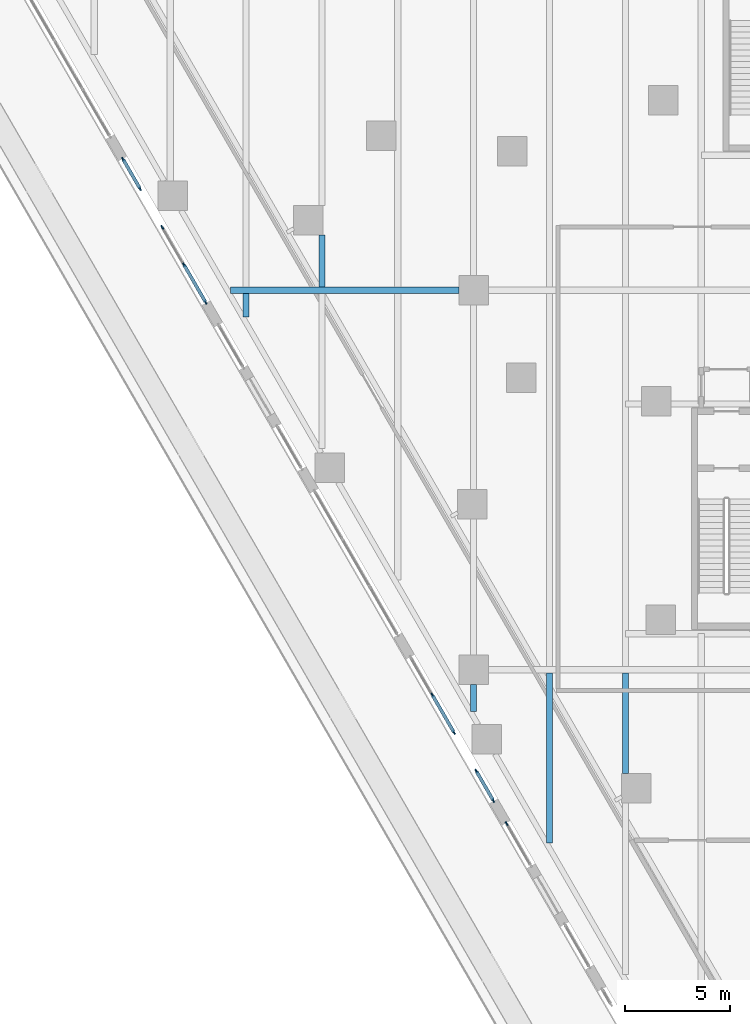
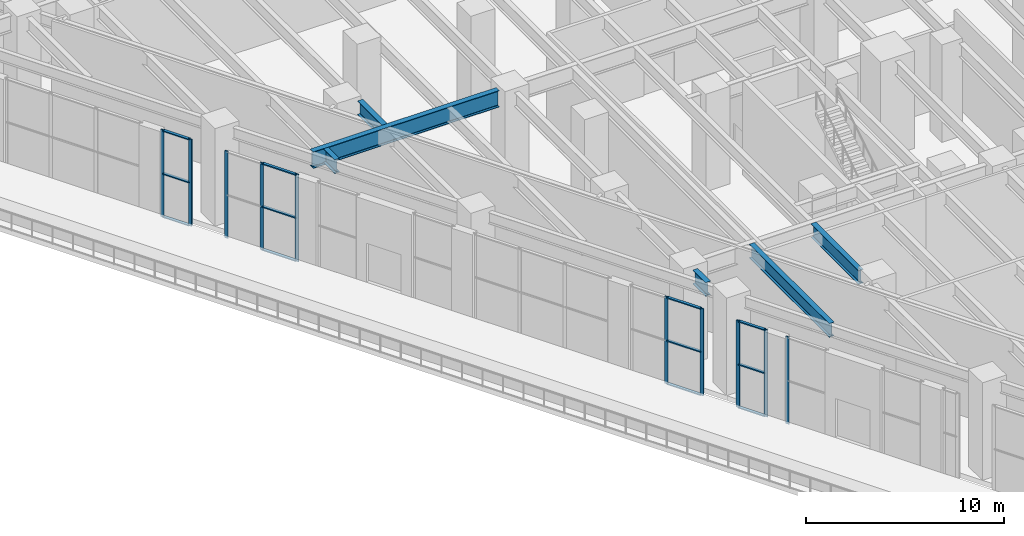
# One storey, part 6 of 40: 22 members, 6 beams, 5 elements without a shape of their own.
"""IFC4 building model written with IfcOpenShell, lengths in metres."""

from ifc_helpers import new_model, si_unit, direction, frame, origin, origin_2d, place, context, subcontext, project, spatial, rectangle, i_section, extrude, material, material_profile, profile_set, type_object, element, aggregate, save


model = new_model("IFC4")

# Units and contexts
model_context = context("Model", 3, precision=1e-05, world=origin(), true_north=direction((0.0, 1.0)))
body_context = subcontext(model_context, "Body", "Model", "MODEL_VIEW")
ifc_project = project(units=[si_unit("LENGTHUNIT", "METRE"), si_unit("AREAUNIT", "SQUARE_METRE"), si_unit("VOLUMEUNIT", "CUBIC_METRE"), si_unit("PLANEANGLEUNIT", "RADIAN"), si_unit("MASSUNIT", "GRAM", prefix="KILO")], contexts=[model_context])

# Site, building, storey
site_placement = place(None, origin())
site = spatial("IfcSite", under=ifc_project, at=site_placement, CompositionType="ELEMENT")
building_placement = place(site_placement, origin())
building = spatial("IfcBuilding", under=site, at=building_placement, Name="Aloe Facet Convention Tower", CompositionType="ELEMENT")
storey_placement = place(building_placement, frame((0.0, 0.0, 13.5)))
storey = spatial("IfcBuildingStorey", under=building, at=storey_placement, Name="L02", CompositionType="ELEMENT", Elevation=13.5)

# Curtain wall, members
ifc_material_1 = material(Name="Aluminium, anodised", Category="aluminium")
curtain_wall_type = type_object("IfcCurtainWallType", Name="EV-CW-HALL", PredefinedType="USERDEFINED", material=ifc_material_1)
curtain_wall_1_placement = place(storey_placement, origin())
curtain_wall_1 = element("IfcCurtainWall", 1, at=curtain_wall_1_placement, inside=storey, type_object=curtain_wall_type, Name="CW-L02-W08-1", ObjectType="UNITISED HALL GLAZING", PredefinedType="USERDEFINED")
ifc_material_2 = material(Name="Aluminium, anodised", Category="aluminium")
ifc_material_profile_1 = material_profile(ifc_material_2, rectangle(XDim=0.06494140625, YDim=0.199951171875, at=origin_2d()), Name="AL 65x200")
ifc_profile_set_1 = profile_set([ifc_material_profile_1], Name="Aluminium, anodised")
member_type_1 = type_object("IfcMemberType", Name="EV-MULL-HALL", PredefinedType="MULLION", material=ifc_profile_set_1)
member_1_placement = place(storey_placement, frame((45.365234375, 105.20947265625, -0.300048828125), z_axis=(0.0, 0.0, 1.0), x_axis=(0.866025403889, 0.499999999819, 0.0)))
member_1 = element("IfcMember", 2, at=member_1_placement, type_object=member_type_1, Name="CW-L02-W08-1 mullion 1", PredefinedType="MULLION", context=body_context, shape_type="SweptSolid", body=[
    extrude(rectangle(XDim=0.06494140625, YDim=0.199951171875, at=origin_2d()), origin(), (0.0, 0.0, 1.0), 5.362548828125),
])
member_2_placement = place(storey_placement, frame((46.171630859375, 103.812744140625, -0.300048828125), z_axis=(0.0, 0.0, 1.0), x_axis=(0.866025403889, 0.499999999819, 0.0)))
member_2 = element("IfcMember", 3, at=member_2_placement, type_object=member_type_1, Name="CW-L02-W08-1 mullion 2", PredefinedType="MULLION", context=body_context, shape_type="SweptSolid", body=[
    extrude(rectangle(XDim=0.06494140625, YDim=0.199951171875, at=origin_2d()), origin(), (0.0, 0.0, 1.0), 5.362548828125),
])

curtain_wall_2_placement = place(storey_placement, origin())
curtain_wall_2 = element("IfcCurtainWall", 4, at=curtain_wall_2_placement, inside=storey, type_object=curtain_wall_type, Name="CW-L02-W08-2", ObjectType="UNITISED HALL GLAZING", PredefinedType="USERDEFINED")
member_3_placement = place(storey_placement, frame((47.228759765625, 101.98193359375, -0.300048828125), z_axis=(0.0, 0.0, 1.0), x_axis=(0.866025403863, 0.499999999864, 0.0)))
member_3 = element("IfcMember", 5, at=member_3_placement, type_object=member_type_1, Name="CW-L02-W08-2 mullion 1", PredefinedType="MULLION", context=body_context, shape_type="SweptSolid", body=[
    extrude(rectangle(XDim=0.06494140625, YDim=0.199951171875, at=origin_2d()), origin(), (0.0, 0.0, 1.0), 5.362548828125),
])
member_4_placement = place(storey_placement, frame((48.25537109375, 100.20361328125, -0.300048828125), z_axis=(0.0, 0.0, 1.0), x_axis=(0.866025403863, 0.499999999864, 0.0)))
member_4 = element("IfcMember", 6, at=member_4_placement, type_object=member_type_1, Name="CW-L02-W08-2 mullion 2", PredefinedType="MULLION", context=body_context, shape_type="SweptSolid", body=[
    extrude(rectangle(XDim=0.06494140625, YDim=0.199951171875, at=origin_2d()), origin(), (0.0, 0.0, 1.0), 5.362548828125),
])
member_5_placement = place(storey_placement, frame((49.2822265625, 98.42529296875, -0.300048828125), z_axis=(0.0, 0.0, 1.0), x_axis=(0.866025403863, 0.499999999864, 0.0)))
member_5 = element("IfcMember", 7, at=member_5_placement, type_object=member_type_1, Name="CW-L02-W08-2 mullion 3", PredefinedType="MULLION", context=body_context, shape_type="SweptSolid", body=[
    extrude(rectangle(XDim=0.06494140625, YDim=0.199951171875, at=origin_2d()), origin(), (0.0, 0.0, 1.0), 5.362548828125),
])

curtain_wall_3_placement = place(storey_placement, origin())
curtain_wall_3 = element("IfcCurtainWall", 8, at=curtain_wall_3_placement, inside=storey, type_object=curtain_wall_type, Name="CW-L02-W14-1", ObjectType="UNITISED HALL GLAZING", PredefinedType="USERDEFINED")
member_6_placement = place(storey_placement, frame((60.0400390625, 79.7919921875, -0.300048828125), z_axis=(0.0, 0.0, 1.0), x_axis=(0.866025403819, 0.49999999994, 0.0)))
member_6 = element("IfcMember", 9, at=member_6_placement, type_object=member_type_1, Name="CW-L02-W14-1 mullion 2", PredefinedType="MULLION", context=body_context, shape_type="SweptSolid", body=[
    extrude(rectangle(XDim=0.06494140625, YDim=0.199951171875, at=origin_2d()), origin(), (0.0, 0.0, 1.0), 5.362548828125),
])
member_7_placement = place(storey_placement, frame((61.06689453125, 78.013916015625, -0.300048828125), z_axis=(0.0, 0.0, 1.0), x_axis=(0.866025403819, 0.49999999994, 0.0)))
member_7 = element("IfcMember", 10, at=member_7_placement, type_object=member_type_1, Name="CW-L02-W14-1 mullion 3", PredefinedType="MULLION", context=body_context, shape_type="SweptSolid", body=[
    extrude(rectangle(XDim=0.06494140625, YDim=0.199951171875, at=origin_2d()), origin(), (0.0, 0.0, 1.0), 5.362548828125),
])

curtain_wall_4_placement = place(storey_placement, origin())
curtain_wall_4 = element("IfcCurtainWall", 11, at=curtain_wall_4_placement, inside=storey, type_object=curtain_wall_type, Name="CW-L02-W14-2", ObjectType="UNITISED HALL GLAZING", PredefinedType="USERDEFINED")
member_8_placement = place(storey_placement, frame((62.123779296875, 76.18310546875, -0.300048828125), z_axis=(0.0, 0.0, 1.0), x_axis=(0.866025403732, 0.500000000091, 0.0)))
member_8 = element("IfcMember", 12, at=member_8_placement, type_object=member_type_1, Name="CW-L02-W14-2 mullion 1", PredefinedType="MULLION", context=body_context, shape_type="SweptSolid", body=[
    extrude(rectangle(XDim=0.06494140625, YDim=0.199951171875, at=origin_2d()), origin(), (0.0, 0.0, 1.0), 5.362548828125),
])
member_9_placement = place(storey_placement, frame((62.930419921875, 74.785888671875, -0.300048828125), z_axis=(0.0, 0.0, 1.0), x_axis=(0.866025403732, 0.500000000091, 0.0)))
member_9 = element("IfcMember", 13, at=member_9_placement, type_object=member_type_1, Name="CW-L02-W14-2 mullion 2", PredefinedType="MULLION", context=body_context, shape_type="SweptSolid", body=[
    extrude(rectangle(XDim=0.06494140625, YDim=0.199951171875, at=origin_2d()), origin(), (0.0, 0.0, 1.0), 5.362548828125),
])

# Curtain wall, member
curtain_wall_5_placement = place(storey_placement, origin())
curtain_wall_5 = element("IfcCurtainWall", 14, at=curtain_wall_5_placement, inside=storey, type_object=curtain_wall_type, Name="CW-L02-W16A", ObjectType="UNITISED HALL GLAZING", PredefinedType="USERDEFINED")
member_10_placement = place(storey_placement, frame((63.56298828125, 73.6904296875, -0.300048828125), z_axis=(0.0, 0.0, 1.0), x_axis=(0.866025403837, 0.499999999909, 0.0)))
member_10 = element("IfcMember", 15, at=member_10_placement, type_object=member_type_1, Name="CW-L02-W16A mullion 1", PredefinedType="MULLION", context=body_context, shape_type="SweptSolid", body=[
    extrude(rectangle(XDim=0.06494140625, YDim=0.199951171875, at=origin_2d()), origin(), (0.0, 0.0, 1.0), 5.362548828125),
])
aggregate(curtain_wall_5, [member_10])

# Member
ifc_material_3 = material(Name="Aluminium, anodised", Category="aluminium")
ifc_material_profile_2 = material_profile(ifc_material_3, rectangle(XDim=0.159912109375, YDim=0.06494140625, at=origin_2d()), Name="AL 160x65")
ifc_profile_set_2 = profile_set([ifc_material_profile_2], Name="Aluminium, anodised")
member_type_2 = type_object("IfcMemberType", Name="EV-TRAN-HALL", PredefinedType="USERDEFINED", material=ifc_profile_set_2)
member_11_placement = place(storey_placement, frame((45.381591796875, 105.181396484375, -0.267578125), z_axis=(0.500041054325, -0.866001699761, 0.0), x_axis=(0.866001699761, 0.500041054325, 0.0)))
member_11 = element("IfcMember", 16, at=member_11_placement, type_object=member_type_2, Name="CW-L02-W08-1 transom 1.1", ObjectType="TRANSOM", PredefinedType="USERDEFINED", context=body_context, shape_type="SweptSolid", body=[
    extrude(rectangle(XDim=0.159912109375, YDim=0.06494140625, at=origin_2d()), origin(), (0.0, 0.0, 1.0), 1.547607421875),
])

member_12_placement = place(storey_placement, frame((45.381591796875, 105.181396484375, 2.38134765625), z_axis=(0.500041054325, -0.866001699761, 0.0), x_axis=(0.866001699761, 0.500041054325, 0.0)))
member_12 = element("IfcMember", 17, at=member_12_placement, type_object=member_type_2, Name="CW-L02-W08-1 transom 1.2", ObjectType="TRANSOM", PredefinedType="USERDEFINED", context=body_context, shape_type="SweptSolid", body=[
    extrude(rectangle(XDim=0.159912109375, YDim=0.06494140625, at=origin_2d()), origin(), (0.0, 0.0, 1.0), 1.547607421875),
])

member_13_placement = place(storey_placement, frame((45.381591796875, 105.181396484375, 5.030029296875), z_axis=(0.500041054325, -0.866001699761, 0.0), x_axis=(0.866001699761, 0.500041054325, 0.0)))
member_13 = element("IfcMember", 18, at=member_13_placement, type_object=member_type_2, Name="CW-L02-W08-1 transom 1.3", ObjectType="TRANSOM", PredefinedType="USERDEFINED", context=body_context, shape_type="SweptSolid", body=[
    extrude(rectangle(XDim=0.159912109375, YDim=0.06494140625, at=origin_2d()), origin(), (0.0, 0.0, 1.0), 1.547607421875),
])

aggregate(curtain_wall_1, [member_1, member_2, member_11, member_12, member_13])

member_14_placement = place(storey_placement, frame((48.271728515625, 100.175537109375, -0.267578125), z_axis=(0.499942098031, -0.866058830921, 0.0), x_axis=(0.866058830921, 0.499942098031, 0.0)))
member_14 = element("IfcMember", 19, at=member_14_placement, type_object=member_type_2, Name="CW-L02-W08-2 transom 2.1", ObjectType="TRANSOM", PredefinedType="USERDEFINED", context=body_context, shape_type="SweptSolid", body=[
    extrude(rectangle(XDim=0.159912109375, YDim=0.06494140625, at=origin_2d()), origin(), (0.0, 0.0, 1.0), 1.988525390625),
])

member_15_placement = place(storey_placement, frame((48.271728515625, 100.175537109375, 2.38134765625), z_axis=(0.499942098031, -0.866058830921, 0.0), x_axis=(0.866058830921, 0.499942098031, 0.0)))
member_15 = element("IfcMember", 20, at=member_15_placement, type_object=member_type_2, Name="CW-L02-W08-2 transom 2.2", ObjectType="TRANSOM", PredefinedType="USERDEFINED", context=body_context, shape_type="SweptSolid", body=[
    extrude(rectangle(XDim=0.159912109375, YDim=0.06494140625, at=origin_2d()), origin(), (0.0, 0.0, 1.0), 1.988525390625),
])

member_16_placement = place(storey_placement, frame((48.271728515625, 100.175537109375, 5.030029296875), z_axis=(0.499942098031, -0.866058830921, 0.0), x_axis=(0.866058830921, 0.499942098031, 0.0)))
member_16 = element("IfcMember", 21, at=member_16_placement, type_object=member_type_2, Name="CW-L02-W08-2 transom 2.3", ObjectType="TRANSOM", PredefinedType="USERDEFINED", context=body_context, shape_type="SweptSolid", body=[
    extrude(rectangle(XDim=0.159912109375, YDim=0.06494140625, at=origin_2d()), origin(), (0.0, 0.0, 1.0), 1.988525390625),
])

aggregate(curtain_wall_2, [member_3, member_4, member_5, member_14, member_15, member_16])

member_17_placement = place(storey_placement, frame((60.056396484375, 79.763916015625, -0.267578125), z_axis=(0.499995262016, -0.866028139243, 0.0), x_axis=(0.866028139243, 0.499995262016, 0.0)))
member_17 = element("IfcMember", 22, at=member_17_placement, type_object=member_type_2, Name="CW-L02-W14-1 transom 2.1", ObjectType="TRANSOM", PredefinedType="USERDEFINED", context=body_context, shape_type="SweptSolid", body=[
    extrude(rectangle(XDim=0.159912109375, YDim=0.06494140625, at=origin_2d()), origin(), (0.0, 0.0, 1.0), 1.98828125),
])

member_18_placement = place(storey_placement, frame((60.056396484375, 79.763916015625, 2.38134765625), z_axis=(0.499995262016, -0.866028139243, 0.0), x_axis=(0.866028139243, 0.499995262016, 0.0)))
member_18 = element("IfcMember", 23, at=member_18_placement, type_object=member_type_2, Name="CW-L02-W14-1 transom 2.2", ObjectType="TRANSOM", PredefinedType="USERDEFINED", context=body_context, shape_type="SweptSolid", body=[
    extrude(rectangle(XDim=0.159912109375, YDim=0.06494140625, at=origin_2d()), origin(), (0.0, 0.0, 1.0), 1.98828125),
])

member_19_placement = place(storey_placement, frame((60.056396484375, 79.763916015625, 5.030029296875), z_axis=(0.499995262016, -0.866028139243, 0.0), x_axis=(0.866028139243, 0.499995262016, 0.0)))
member_19 = element("IfcMember", 24, at=member_19_placement, type_object=member_type_2, Name="CW-L02-W14-1 transom 2.3", ObjectType="TRANSOM", PredefinedType="USERDEFINED", context=body_context, shape_type="SweptSolid", body=[
    extrude(rectangle(XDim=0.159912109375, YDim=0.06494140625, at=origin_2d()), origin(), (0.0, 0.0, 1.0), 1.98828125),
])

aggregate(curtain_wall_3, [member_6, member_7, member_17, member_18, member_19])

member_20_placement = place(storey_placement, frame((62.14013671875, 76.15478515625, -0.267578125), z_axis=(0.499904469662, -0.866080551226, 0.0), x_axis=(0.866080551226, 0.499904469662, 0.0)))
member_20 = element("IfcMember", 25, at=member_20_placement, type_object=member_type_2, Name="CW-L02-W14-2 transom 1.1", ObjectType="TRANSOM", PredefinedType="USERDEFINED", context=body_context, shape_type="SweptSolid", body=[
    extrude(rectangle(XDim=0.159912109375, YDim=0.06494140625, at=origin_2d()), origin(), (0.0, 0.0, 1.0), 1.548095703125),
])

member_21_placement = place(storey_placement, frame((62.14013671875, 76.15478515625, 2.38134765625), z_axis=(0.499904469662, -0.866080551226, 0.0), x_axis=(0.866080551226, 0.499904469662, 0.0)))
member_21 = element("IfcMember", 26, at=member_21_placement, type_object=member_type_2, Name="CW-L02-W14-2 transom 1.2", ObjectType="TRANSOM", PredefinedType="USERDEFINED", context=body_context, shape_type="SweptSolid", body=[
    extrude(rectangle(XDim=0.159912109375, YDim=0.06494140625, at=origin_2d()), origin(), (0.0, 0.0, 1.0), 1.548095703125),
])

member_22_placement = place(storey_placement, frame((62.14013671875, 76.15478515625, 5.030029296875), z_axis=(0.499904469662, -0.866080551226, 0.0), x_axis=(0.866080551226, 0.499904469662, 0.0)))
member_22 = element("IfcMember", 27, at=member_22_placement, type_object=member_type_2, Name="CW-L02-W14-2 transom 1.3", ObjectType="TRANSOM", PredefinedType="USERDEFINED", context=body_context, shape_type="SweptSolid", body=[
    extrude(rectangle(XDim=0.159912109375, YDim=0.06494140625, at=origin_2d()), origin(), (0.0, 0.0, 1.0), 1.548095703125),
])

aggregate(curtain_wall_4, [member_8, member_9, member_20, member_21, member_22])

# Beams
ifc_material_4 = material(Name="Steel S355", Category="steel")
ifc_material_profile_3 = material_profile(ifc_material_4, i_section(OverallWidth=0.305419921875, OverallDepth=1.02587890625, WebThickness=0.02001953125, FlangeThickness=0.031005859375, FilletRadius=0.030029296875, at=origin_2d()), Name="UB 1016x305x349")
ifc_profile_set_3 = profile_set([ifc_material_profile_3], Name="Steel S355")
beam_type_1 = type_object("IfcBeamType", Name="SF-B-UB1016x305x349", PredefinedType="BEAM", material=ifc_profile_set_3)
beam_1_placement = place(storey_placement, frame((50.464111328125, 99.0, 5.237060546875), z_axis=(1.0, 0.0, 0.0), x_axis=(0.0, 1.0, 0.0)))
element("IfcBeam", 28, at=beam_1_placement, inside=storey, type_object=beam_type_1, Name="Floor beam FB-L03-028", PredefinedType="BEAM", context=body_context, shape_type="SweptSolid", body=[
    extrude(i_section(OverallWidth=0.305419921875, OverallDepth=1.02587890625, WebThickness=0.02001953125, FlangeThickness=0.031005859375, FilletRadius=0.030029296875, at=origin_2d()), origin(), (0.0, 0.0, 1.0), 10.8359375),
])
ifc_material_5 = material(Name="Steel S355", Category="steel")
ifc_material_profile_4 = material_profile(ifc_material_5, i_section(OverallWidth=0.293701171875, OverallDepth=0.850830078125, WebThickness=0.01611328125, FlangeThickness=0.02685546875, FilletRadius=0.017822265625, at=origin_2d()), Name="UB 838x292x226")
ifc_profile_set_4 = profile_set([ifc_material_profile_4], Name="Steel S355")
beam_type_2 = type_object("IfcBeamType", Name="SF-B-UB838x292x226", PredefinedType="BEAM", material=ifc_profile_set_4)
beam_2_placement = place(storey_placement, frame((51.199951171875, 97.718017578125, 5.324462890625), z_axis=(0.0, 1.0, 0.0), x_axis=(-1.0, 0.0, 0.0)))
element("IfcBeam", 29, at=beam_2_placement, inside=storey, type_object=beam_type_2, Name="Floor beam FB-L03-047", PredefinedType="BEAM", context=body_context, shape_type="SweptSolid", body=[
    extrude(i_section(OverallWidth=0.293701171875, OverallDepth=0.850830078125, WebThickness=0.01611328125, FlangeThickness=0.02685546875, FilletRadius=0.017822265625, at=origin_2d()), origin(), (0.0, 0.0, 1.0), 1.12939453125),
])
beam_3_placement = place(storey_placement, frame((54.800048828125, 99.152587890625, 5.324462890625), z_axis=(0.0, 1.0, 0.0), x_axis=(-1.0, 0.0, 0.0)))
element("IfcBeam", 30, at=beam_3_placement, inside=storey, type_object=beam_type_2, Name="Floor beam FB-L03-051", PredefinedType="BEAM", context=body_context, shape_type="SweptSolid", body=[
    extrude(i_section(OverallWidth=0.293701171875, OverallDepth=0.850830078125, WebThickness=0.01611328125, FlangeThickness=0.02685546875, FilletRadius=0.017822265625, at=origin_2d()), origin(), (0.0, 0.0, 1.0), 2.472412109375),
])
beam_4_placement = place(storey_placement, frame((62.0, 79.011962890625, 5.324462890625), z_axis=(0.0, 1.0, 0.0), x_axis=(-1.0, 0.0, 0.0)))
element("IfcBeam", 31, at=beam_4_placement, inside=storey, type_object=beam_type_2, Name="Floor beam FB-L03-058", PredefinedType="BEAM", context=body_context, shape_type="SweptSolid", body=[
    extrude(i_section(OverallWidth=0.293701171875, OverallDepth=0.850830078125, WebThickness=0.01611328125, FlangeThickness=0.02685546875, FilletRadius=0.017822265625, at=origin_2d()), origin(), (0.0, 0.0, 1.0), 1.2880859375),
])
beam_5_placement = place(storey_placement, frame((65.60009765625, 72.776611328125, 5.324462890625), z_axis=(0.0, 1.0, 0.0), x_axis=(-1.0, 0.0, 0.0)))
element("IfcBeam", 32, at=beam_5_placement, inside=storey, type_object=beam_type_2, Name="Floor beam FB-L03-063", PredefinedType="BEAM", context=body_context, shape_type="SweptSolid", body=[
    extrude(i_section(OverallWidth=0.293701171875, OverallDepth=0.850830078125, WebThickness=0.01611328125, FlangeThickness=0.02685546875, FilletRadius=0.017822265625, at=origin_2d()), origin(), (0.0, 0.0, 1.0), 8.07080078125),
])
beam_6_placement = place(storey_placement, frame((69.199951171875, 76.06591796875, 5.324462890625), z_axis=(0.0, 1.0, 0.0), x_axis=(-1.0, 0.0, 0.0)))
element("IfcBeam", 33, at=beam_6_placement, inside=storey, type_object=beam_type_2, Name="Floor beam FB-L03-068", PredefinedType="BEAM", context=body_context, shape_type="SweptSolid", body=[
    extrude(i_section(OverallWidth=0.293701171875, OverallDepth=0.850830078125, WebThickness=0.01611328125, FlangeThickness=0.02685546875, FilletRadius=0.017822265625, at=origin_2d()), origin(), (0.0, 0.0, 1.0), 4.781494140625),
])

save(model, "model.ifc")
